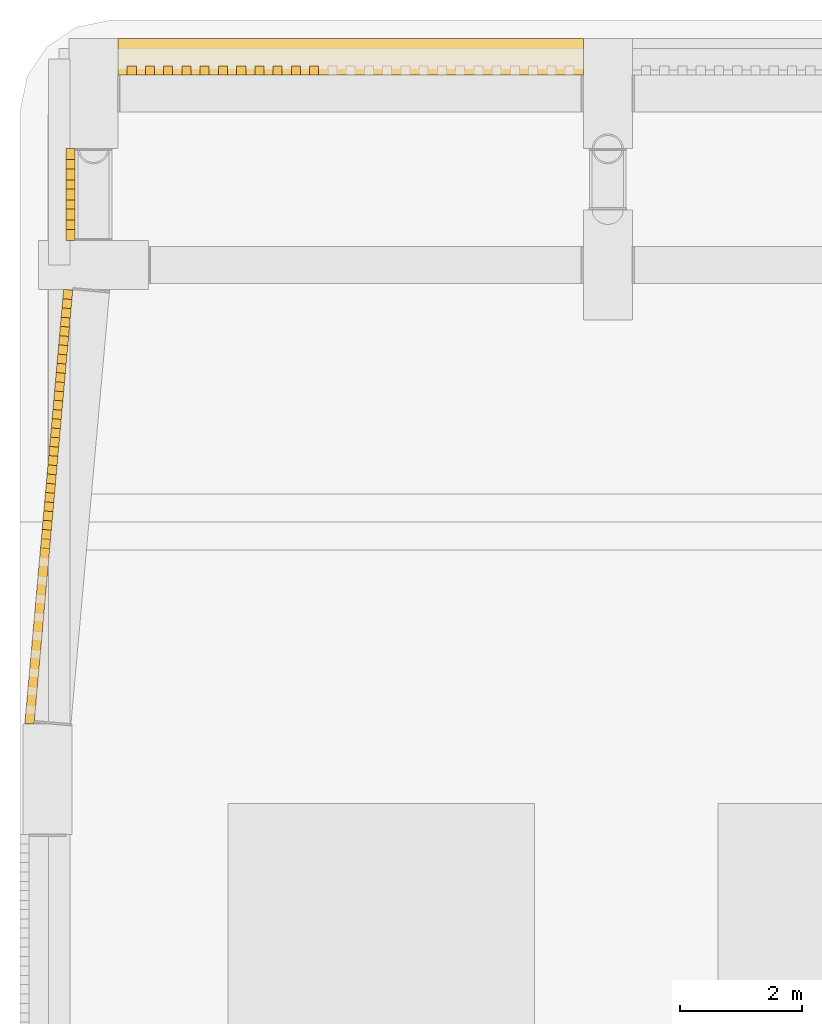
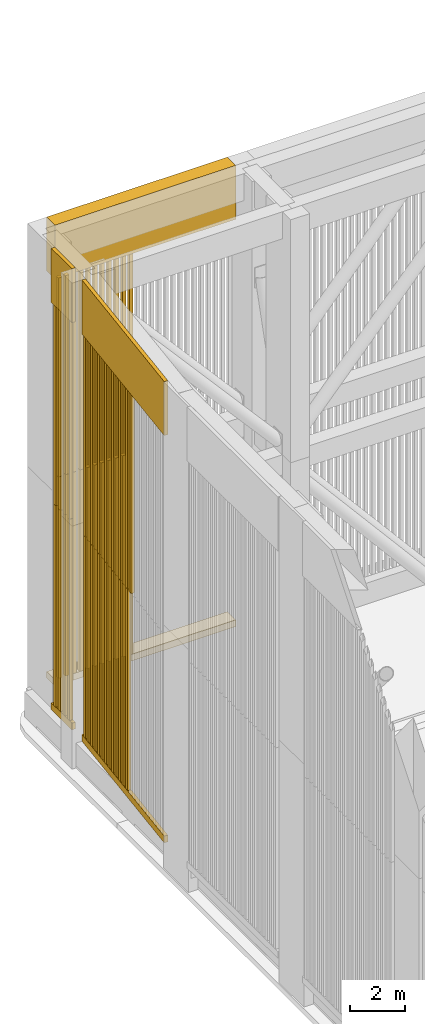
# One storey, part 20 of 27: 57 shading devices, 6 coverings.
"""IFC4 building model written with IfcOpenShell, lengths in metres."""

import ifcopenshell
import ifcopenshell.guid

model = None  # the IFC model being written
_history = None  # IfcOwnerHistory: only IFC2X3 demands one
_inside = {}  # id of a spatial element -> (the spatial element, [elements in it])
_under = {}  # id of a project, library or spatial element -> (it, [spatial elements below it])
_declared = {}  # id of a project -> (the project, [libraries it declares])
_typed = {}  # id of a type object -> (the type object, [elements of that type])
_made_of = {}  # id of a material, layer set ... -> (it, [elements and type objects made of it])


def new_model(schema):
    """Start an empty IFC model of exactly this schema.

    Asked for "IFC4X3", IfcOpenShell would pick the latest addendum, in which some entities
    have other attributes; the version numbers below select the first issue.
    IFC2X3 requires an IfcOwnerHistory on every rooted entity: one is made here for all.
    """
    global model, _history
    if schema == "IFC4X3":
        model = ifcopenshell.file(schema_version=(4, 3, 0, 0))
    else:
        model = ifcopenshell.file(schema=schema)
    _inside.clear()
    _under.clear()
    _declared.clear()
    _typed.clear()
    _made_of.clear()
    _history = None
    if model.schema == "IFC2X3":
        org = make("IfcOrganization", Name="unknown")
        user = make(
            "IfcPersonAndOrganization",
            ThePerson=make("IfcPerson", FamilyName="unknown"),
            TheOrganization=org,
        )
        app = make(
            "IfcApplication",
            ApplicationDeveloper=org,
            Version="unknown",
            ApplicationFullName="unknown",
            ApplicationIdentifier="unknown",
        )
        _history = make(
            "IfcOwnerHistory",
            OwningUser=user,
            OwningApplication=app,
            ChangeAction="ADDED",
            CreationDate=0,
        )
    return model


def make(cls, **values):
    """One entity of the class cls with the attributes given. An attribute that is None is left unset."""
    return model.create_entity(
        cls, **{name: value for name, value in values.items() if value is not None}
    )


def rooted(cls, **values):
    """An entity with a GlobalId (a new one), such as an element, a storey or a relation."""
    return make(cls, GlobalId=ifcopenshell.guid.new(), OwnerHistory=_history, **values)


def si_unit(unit_type, name, prefix=None):
    """IfcSIUnit, for example si_unit("LENGTHUNIT", "METRE", prefix="MILLI")."""
    return make("IfcSIUnit", UnitType=unit_type, Prefix=prefix, Name=name)


def assignment(units):
    """IfcUnitAssignment: the units of a project."""
    return None if units is None else make("IfcUnitAssignment", Units=units)


def point(xyz):
    """IfcCartesianPoint."""
    return None if xyz is None else make("IfcCartesianPoint", Coordinates=xyz)


def direction(xyz):
    """IfcDirection."""
    return None if xyz is None else make("IfcDirection", DirectionRatios=xyz)


def frame(location, z_axis=None, x_axis=None):
    """IfcAxis2Placement3D, a coordinate frame: its origin and axes. An axis left out is left unset."""
    return make(
        "IfcAxis2Placement3D",
        Location=point(location),
        Axis=direction(z_axis),
        RefDirection=direction(x_axis),
    )


def frame_2d(location, x_axis=None):
    """IfcAxis2Placement2D, a coordinate frame in the plane: its origin and x axis."""
    return make(
        "IfcAxis2Placement2D", Location=point(location), RefDirection=direction(x_axis)
    )


def origin():
    """The frame at (0, 0, 0) with its axes left unset."""
    return frame((0.0, 0.0, 0.0))


def origin_2d():
    """The frame at (0, 0) in the plane with its x axis left unset."""
    return frame_2d((0.0, 0.0))


def place(relative_to, where):
    """IfcLocalPlacement: puts the frame where relative to a parent placement (None: the world)."""
    return make(
        "IfcLocalPlacement", PlacementRelTo=relative_to, RelativePlacement=where
    )


def context(
    kind, dimensions, precision=None, world=None, true_north=None, identifier=None
):
    """IfcGeometricRepresentationContext, for example the 3D "Model" context."""
    return make(
        "IfcGeometricRepresentationContext",
        ContextIdentifier=identifier,
        ContextType=kind,
        CoordinateSpaceDimension=dimensions,
        Precision=precision,
        WorldCoordinateSystem=world,
        TrueNorth=true_north,
    )


def subcontext(parent, identifier, kind, view, scale=None):
    """IfcGeometricRepresentationSubContext, for example "Body" below "Model"."""
    return make(
        "IfcGeometricRepresentationSubContext",
        ContextIdentifier=identifier,
        ContextType=kind,
        ParentContext=parent,
        TargetScale=scale,
        TargetView=view,
    )


def project(units=None, contexts=None):
    """IfcProject with its units and contexts."""
    return rooted(
        "IfcProject",
        Name="project",
        RepresentationContexts=contexts,
        UnitsInContext=assignment(units),
    )


def spatial(cls, under=None, at=None, **own):
    """A site, building, storey or space (cls), placed at a placement, below another one or the project."""
    s = rooted(cls, ObjectPlacement=at, **own)
    if under is not None:
        _under.setdefault(under.id(), (under, []))[1].append(s)
    return s


def profile(cls, at=None, kind="AREA", **sizes):
    """A parametric profile (cls). Its sizes go by their IFC names, for example OverallWidth=200.0."""
    return make(cls, ProfileType=kind, Position=at, **sizes)


def rectangle(**sizes):
    """IfcRectangleProfileDef."""
    return profile("IfcRectangleProfileDef", **sizes)


def extrude(swept, where, along, depth):
    """IfcExtrudedAreaSolid: the profile swept, set in the frame where, extruded along a direction by depth."""
    return make(
        "IfcExtrudedAreaSolid",
        SweptArea=swept,
        Position=where,
        ExtrudedDirection=direction(along),
        Depth=depth,
    )


def shape(context_of_items, identifier, shape_type, items):
    """IfcShapeRepresentation: the items that make up one representation, for example the "Body"."""
    return make(
        "IfcShapeRepresentation",
        ContextOfItems=context_of_items,
        RepresentationIdentifier=identifier,
        RepresentationType=shape_type,
        Items=items,
    )


def material(Name=None, Category=None):
    """IfcMaterial."""
    return make("IfcMaterial", Name=Name, Category=Category)


def layer(
    of_material, thickness, ventilated=None, Name=None, Category=None, Priority=None
):
    """IfcMaterialLayer: one layer of a wall or slab, of a material (None: an air gap)."""
    return make(
        "IfcMaterialLayer",
        Material=of_material,
        LayerThickness=thickness,
        IsVentilated=ventilated,
        Name=Name,
        Category=Category,
        Priority=Priority,
    )


def layer_set(layers, Name=None):
    """IfcMaterialLayerSet."""
    return make("IfcMaterialLayerSet", MaterialLayers=layers, LayerSetName=Name)


def made_of(thing, what):
    """Note that an element or type object is made of a material, layer set ...; save() writes the relation."""
    if what is not None:
        _made_of.setdefault(what.id(), (what, []))[1].append(thing)
    return thing


def type_object(cls, material=None, **own):
    """A type object (cls), such as IfcWallType, which elements share."""
    return made_of(rooted(cls, **own), material)


def element(
    cls,
    number,
    at=None,
    inside=None,
    cuts=None,
    type_object=None,
    material=None,
    context=None,
    identifier="Body",
    shape_type=None,
    held_by="IfcProductDefinitionShape",
    body=None,
    shapes=None,
    **own,
):
    """One element of the class cls, such as IfcWall. Its Tag is "e" and its number.

    at: its placement. inside: the storey or other place that contains it. cuts: it is an
    opening in that element (IfcRelVoidsElement). A single representation is given by context,
    identifier, shape_type and body (its items); several are given by shapes. held_by: the class
    of the entity that holds the representations. save() writes the other relations.
    """
    e = rooted(cls, Tag="e%d" % number, ObjectPlacement=at, **own)
    if body is not None:
        shapes = [shape(context, identifier, shape_type, body)]
    if shapes is not None:
        e.Representation = make(held_by, Representations=shapes)
    if inside is not None:
        _inside.setdefault(inside.id(), (inside, []))[1].append(e)
    if cuts is not None:
        rooted(
            "IfcRelVoidsElement", RelatingBuildingElement=cuts, RelatedOpeningElement=e
        )
    if type_object is not None:
        _typed.setdefault(type_object.id(), (type_object, []))[1].append(e)
    return made_of(e, material)


def aggregate(whole, parts):
    """IfcRelAggregates: a whole, such as a stair, and the parts it consists of."""
    return rooted("IfcRelAggregates", RelatingObject=whole, RelatedObjects=parts)


def save(model, path):
    """Write the relations noted so far, then the file.

    IfcRelAggregates (storeys below a building ...), IfcRelContainedInSpatialStructure (elements
    in a storey), IfcRelDefinesByType, IfcRelAssociatesMaterial and IfcRelDeclares: one each for
    every whole, place, type object, material and project.
    """
    for whole, parts in _under.values():
        aggregate(whole, parts)
    for where, things in _inside.values():
        rooted(
            "IfcRelContainedInSpatialStructure",
            RelatedElements=things,
            RelatingStructure=where,
        )
    for kind, things in _typed.values():
        rooted("IfcRelDefinesByType", RelatedObjects=things, RelatingType=kind)
    for what, things in _made_of.values():
        rooted("IfcRelAssociatesMaterial", RelatedObjects=things, RelatingMaterial=what)
    for by, libraries in _declared.values():
        rooted("IfcRelDeclares", RelatingContext=by, RelatedDefinitions=libraries)
    model.write(path)


model = new_model("IFC4")

# Units and contexts
model_context = context("Model", 3, precision=1e-05, world=origin(), true_north=direction((0.0, 1.0)))
body_context = subcontext(model_context, "Body", "Model", "MODEL_VIEW")
ifc_project = project(units=[si_unit("LENGTHUNIT", "METRE"), si_unit("AREAUNIT", "SQUARE_METRE"), si_unit("VOLUMEUNIT", "CUBIC_METRE"), si_unit("PLANEANGLEUNIT", "RADIAN"), si_unit("MASSUNIT", "GRAM", prefix="KILO")], contexts=[model_context])

# Site, building, storey
site_placement = place(None, origin())
site = spatial("IfcSite", under=ifc_project, at=site_placement, CompositionType="ELEMENT")
building_placement = place(site_placement, origin())
building = spatial("IfcBuilding", under=site, at=building_placement, Name="Claustro Exchange Tower", CompositionType="ELEMENT")
storey_placement = place(building_placement, frame((0.0, 0.0, 287.10009765625)))
storey = spatial("IfcBuildingStorey", under=building, at=storey_placement, Name="ROOF", CompositionType="ELEMENT", Elevation=287.10009765625)

# Coverings
ifc_material_1 = material(Name="Concrete HA-40 (C40/50), precast, white cement, acid-etched", Category="concrete")
ifc_layer_1 = layer(ifc_material_1, 0.14990234375)
ifc_layer_set_1 = layer_set([ifc_layer_1], Name="Concrete HA-40 (C40/50), precast, white cement, acid-etched")
covering_type_1 = type_object("IfcCoveringType", Name="CC1 150 precast concrete crown moulding", PredefinedType="MOLDING", material=ifc_layer_set_1)
covering_1_placement = place(storey_placement, frame((-0.729736328125, 38.050048828125, 1.10009765625), z_axis=(0.0, 0.0, 1.0), x_axis=(0.088932542032, 0.996037651381, 0.0)))
element("IfcCovering", 1, at=covering_1_placement, inside=storey, type_object=covering_type_1, Name="CROWN SILL CC1 1+-750/E - 1/F", PredefinedType="MOLDING", context=body_context, shape_type="SweptSolid", body=[
    extrude(rectangle(XDim=7.114013671875, YDim=0.14990234375, at=origin_2d()), origin(), (0.0, 0.0, 1.0), 0.300048828125),
])
covering_2_placement = place(storey_placement, frame((-0.729736328125, 38.050048828125, 19.199951171875), z_axis=(0.0, 0.0, 1.0), x_axis=(0.088932542032, 0.996037651381, 0.0)))
element("IfcCovering", 2, at=covering_2_placement, inside=storey, type_object=covering_type_1, Name="CROWN CORNICE CC1 1+-750/E - 1/F", PredefinedType="MOLDING", context=body_context, shape_type="SweptSolid", body=[
    extrude(rectangle(XDim=7.114013671875, YDim=0.14990234375, at=origin_2d()), origin(), (0.0, 0.0, 1.0), 2.39990234375),
])
covering_3_placement = place(storey_placement, frame((-0.37548828125, 43.14990234375, 1.10009765625), z_axis=(0.0, 0.0, 1.0), x_axis=(0.0, 1.0, 0.0)))
element("IfcCovering", 3, at=covering_3_placement, inside=storey, type_object=covering_type_1, Name="CROWN SILL CC1 1/F - 1/F+2800", PredefinedType="MOLDING", context=body_context, shape_type="SweptSolid", body=[
    extrude(rectangle(XDim=1.4990234375, YDim=0.14990234375, at=origin_2d()), origin(), (0.0, 0.0, 1.0), 0.300048828125),
])
covering_4_placement = place(storey_placement, frame((-0.37548828125, 43.14990234375, 19.199951171875), z_axis=(0.0, 0.0, 1.0), x_axis=(0.0, 1.0, 0.0)))
element("IfcCovering", 4, at=covering_4_placement, inside=storey, type_object=covering_type_1, Name="CROWN CORNICE CC1 1/F - 1/F+2800", PredefinedType="MOLDING", context=body_context, shape_type="SweptSolid", body=[
    extrude(rectangle(XDim=1.4990234375, YDim=0.14990234375, at=origin_2d()), origin(), (0.0, 0.0, 1.0), 2.39990234375),
])
ifc_material_2 = material(Name="Concrete HA-40 (C40/50), precast, white cement, acid-etched", Category="concrete")
ifc_layer_2 = layer(ifc_material_2, 0.60009765625)
ifc_layer_set_2 = layer_set([ifc_layer_2], Name="Concrete HA-40 (C40/50), precast, white cement, acid-etched")
covering_type_2 = type_object("IfcCoveringType", Name="CC2 600 precast concrete crown moulding", PredefinedType="MOLDING", material=ifc_layer_set_2)
covering_5_placement = place(storey_placement, frame((4.199951171875, 45.400390625, 1.10009765625), z_axis=(0.0, 0.0, 1.0), x_axis=(1.0, 0.0, 0.0)))
element("IfcCovering", 5, at=covering_5_placement, inside=storey, type_object=covering_type_2, Name="CROWN SILL CC2 1/F+2800 - 2/F+2800", PredefinedType="MOLDING", context=body_context, shape_type="SweptSolid", body=[
    extrude(rectangle(XDim=7.59912109375, YDim=0.60009765625, at=origin_2d()), origin(), (0.0, 0.0, 1.0), 0.300048828125),
])
covering_6_placement = place(storey_placement, frame((4.199951171875, 45.400390625, 19.199951171875), z_axis=(0.0, 0.0, 1.0), x_axis=(1.0, 0.0, 0.0)))
element("IfcCovering", 6, at=covering_6_placement, inside=storey, type_object=covering_type_2, Name="CROWN CORNICE CC2 1/F+2800 - 2/F+2800", PredefinedType="MOLDING", context=body_context, shape_type="SweptSolid", body=[
    extrude(rectangle(XDim=7.59912109375, YDim=0.60009765625, at=origin_2d()), origin(), (0.0, 0.0, 1.0), 2.39990234375),
])

# Shading devices
ifc_material_3 = material(Name="Concrete HA-40 (C40/50), precast, white cement, acid-etched", Category="concrete")
shading_device_type = type_object("IfcShadingDeviceType", Name="LV1 150 x 150 precast concrete crown louvre", PredefinedType="USERDEFINED", material=ifc_material_3)
shading_device_1_placement = place(storey_placement, frame((0.62353515625, 45.175537109375, 1.39990234375), z_axis=(0.0, 0.0, 1.0), x_axis=(1.0, 0.0, 0.0)))
element("IfcShadingDevice", 7, at=shading_device_1_placement, inside=storey, type_object=shading_device_type, Name="CROWN LOUVRE LV1 1/F+2800 - 2/F+2800 01 lower", ObjectType="CROWN LOUVRE", PredefinedType="USERDEFINED", context=body_context, shape_type="SweptSolid", body=[
    extrude(rectangle(XDim=0.14990234375, YDim=0.14990234375, at=origin_2d()), origin(), (0.0, 0.0, 1.0), 8.949951171875),
])
shading_device_2_placement = place(storey_placement, frame((0.62353515625, 45.175537109375, 10.349853515625), z_axis=(0.0, 0.0, 1.0), x_axis=(1.0, 0.0, 0.0)))
element("IfcShadingDevice", 8, at=shading_device_2_placement, inside=storey, type_object=shading_device_type, Name="CROWN LOUVRE LV1 1/F+2800 - 2/F+2800 01 upper", ObjectType="CROWN LOUVRE", PredefinedType="USERDEFINED", context=body_context, shape_type="SweptSolid", body=[
    extrude(rectangle(XDim=0.14990234375, YDim=0.14990234375, at=origin_2d()), origin(), (0.0, 0.0, 1.0), 8.85009765625),
])
shading_device_3_placement = place(storey_placement, frame((0.921630859375, 45.175537109375, 1.39990234375), z_axis=(0.0, 0.0, 1.0), x_axis=(1.0, 0.0, 0.0)))
element("IfcShadingDevice", 9, at=shading_device_3_placement, inside=storey, type_object=shading_device_type, Name="CROWN LOUVRE LV1 1/F+2800 - 2/F+2800 02 lower", ObjectType="CROWN LOUVRE", PredefinedType="USERDEFINED", context=body_context, shape_type="SweptSolid", body=[
    extrude(rectangle(XDim=0.14990234375, YDim=0.14990234375, at=origin_2d()), origin(), (0.0, 0.0, 1.0), 8.949951171875),
])
shading_device_4_placement = place(storey_placement, frame((0.921630859375, 45.175537109375, 10.349853515625), z_axis=(0.0, 0.0, 1.0), x_axis=(1.0, 0.0, 0.0)))
element("IfcShadingDevice", 10, at=shading_device_4_placement, inside=storey, type_object=shading_device_type, Name="CROWN LOUVRE LV1 1/F+2800 - 2/F+2800 02 upper", ObjectType="CROWN LOUVRE", PredefinedType="USERDEFINED", context=body_context, shape_type="SweptSolid", body=[
    extrude(rectangle(XDim=0.14990234375, YDim=0.14990234375, at=origin_2d()), origin(), (0.0, 0.0, 1.0), 8.85009765625),
])
shading_device_5_placement = place(storey_placement, frame((1.219482421875, 45.175537109375, 1.39990234375), z_axis=(0.0, 0.0, 1.0), x_axis=(1.0, 0.0, 0.0)))
element("IfcShadingDevice", 11, at=shading_device_5_placement, inside=storey, type_object=shading_device_type, Name="CROWN LOUVRE LV1 1/F+2800 - 2/F+2800 03 lower", ObjectType="CROWN LOUVRE", PredefinedType="USERDEFINED", context=body_context, shape_type="SweptSolid", body=[
    extrude(rectangle(XDim=0.14990234375, YDim=0.14990234375, at=origin_2d()), origin(), (0.0, 0.0, 1.0), 8.949951171875),
])
shading_device_6_placement = place(storey_placement, frame((1.219482421875, 45.175537109375, 10.349853515625), z_axis=(0.0, 0.0, 1.0), x_axis=(1.0, 0.0, 0.0)))
element("IfcShadingDevice", 12, at=shading_device_6_placement, inside=storey, type_object=shading_device_type, Name="CROWN LOUVRE LV1 1/F+2800 - 2/F+2800 03 upper", ObjectType="CROWN LOUVRE", PredefinedType="USERDEFINED", context=body_context, shape_type="SweptSolid", body=[
    extrude(rectangle(XDim=0.14990234375, YDim=0.14990234375, at=origin_2d()), origin(), (0.0, 0.0, 1.0), 8.85009765625),
])
shading_device_7_placement = place(storey_placement, frame((1.517578125, 45.175537109375, 1.39990234375), z_axis=(0.0, 0.0, 1.0), x_axis=(1.0, 0.0, 0.0)))
element("IfcShadingDevice", 13, at=shading_device_7_placement, inside=storey, type_object=shading_device_type, Name="CROWN LOUVRE LV1 1/F+2800 - 2/F+2800 04 lower", ObjectType="CROWN LOUVRE", PredefinedType="USERDEFINED", context=body_context, shape_type="SweptSolid", body=[
    extrude(rectangle(XDim=0.14990234375, YDim=0.14990234375, at=origin_2d()), origin(), (0.0, 0.0, 1.0), 8.949951171875),
])
shading_device_8_placement = place(storey_placement, frame((1.517578125, 45.175537109375, 10.349853515625), z_axis=(0.0, 0.0, 1.0), x_axis=(1.0, 0.0, 0.0)))
element("IfcShadingDevice", 14, at=shading_device_8_placement, inside=storey, type_object=shading_device_type, Name="CROWN LOUVRE LV1 1/F+2800 - 2/F+2800 04 upper", ObjectType="CROWN LOUVRE", PredefinedType="USERDEFINED", context=body_context, shape_type="SweptSolid", body=[
    extrude(rectangle(XDim=0.14990234375, YDim=0.14990234375, at=origin_2d()), origin(), (0.0, 0.0, 1.0), 8.85009765625),
])
shading_device_9_placement = place(storey_placement, frame((1.815673828125, 45.175537109375, 1.39990234375), z_axis=(0.0, 0.0, 1.0), x_axis=(1.0, 0.0, 0.0)))
element("IfcShadingDevice", 15, at=shading_device_9_placement, inside=storey, type_object=shading_device_type, Name="CROWN LOUVRE LV1 1/F+2800 - 2/F+2800 05 lower", ObjectType="CROWN LOUVRE", PredefinedType="USERDEFINED", context=body_context, shape_type="SweptSolid", body=[
    extrude(rectangle(XDim=0.14990234375, YDim=0.14990234375, at=origin_2d()), origin(), (0.0, 0.0, 1.0), 8.949951171875),
])
shading_device_10_placement = place(storey_placement, frame((1.815673828125, 45.175537109375, 10.349853515625), z_axis=(0.0, 0.0, 1.0), x_axis=(1.0, 0.0, 0.0)))
element("IfcShadingDevice", 16, at=shading_device_10_placement, inside=storey, type_object=shading_device_type, Name="CROWN LOUVRE LV1 1/F+2800 - 2/F+2800 05 upper", ObjectType="CROWN LOUVRE", PredefinedType="USERDEFINED", context=body_context, shape_type="SweptSolid", body=[
    extrude(rectangle(XDim=0.14990234375, YDim=0.14990234375, at=origin_2d()), origin(), (0.0, 0.0, 1.0), 8.85009765625),
])
shading_device_11_placement = place(storey_placement, frame((2.11376953125, 45.175537109375, 1.39990234375), z_axis=(0.0, 0.0, 1.0), x_axis=(1.0, 0.0, 0.0)))
element("IfcShadingDevice", 17, at=shading_device_11_placement, inside=storey, type_object=shading_device_type, Name="CROWN LOUVRE LV1 1/F+2800 - 2/F+2800 06 lower", ObjectType="CROWN LOUVRE", PredefinedType="USERDEFINED", context=body_context, shape_type="SweptSolid", body=[
    extrude(rectangle(XDim=0.14990234375, YDim=0.14990234375, at=origin_2d()), origin(), (0.0, 0.0, 1.0), 8.949951171875),
])
shading_device_12_placement = place(storey_placement, frame((2.11376953125, 45.175537109375, 10.349853515625), z_axis=(0.0, 0.0, 1.0), x_axis=(1.0, 0.0, 0.0)))
element("IfcShadingDevice", 18, at=shading_device_12_placement, inside=storey, type_object=shading_device_type, Name="CROWN LOUVRE LV1 1/F+2800 - 2/F+2800 06 upper", ObjectType="CROWN LOUVRE", PredefinedType="USERDEFINED", context=body_context, shape_type="SweptSolid", body=[
    extrude(rectangle(XDim=0.14990234375, YDim=0.14990234375, at=origin_2d()), origin(), (0.0, 0.0, 1.0), 8.85009765625),
])
shading_device_13_placement = place(storey_placement, frame((2.411865234375, 45.175537109375, 1.39990234375), z_axis=(0.0, 0.0, 1.0), x_axis=(1.0, 0.0, 0.0)))
element("IfcShadingDevice", 19, at=shading_device_13_placement, inside=storey, type_object=shading_device_type, Name="CROWN LOUVRE LV1 1/F+2800 - 2/F+2800 07 lower", ObjectType="CROWN LOUVRE", PredefinedType="USERDEFINED", context=body_context, shape_type="SweptSolid", body=[
    extrude(rectangle(XDim=0.14990234375, YDim=0.14990234375, at=origin_2d()), origin(), (0.0, 0.0, 1.0), 8.949951171875),
])
shading_device_14_placement = place(storey_placement, frame((2.411865234375, 45.175537109375, 10.349853515625), z_axis=(0.0, 0.0, 1.0), x_axis=(1.0, 0.0, 0.0)))
element("IfcShadingDevice", 20, at=shading_device_14_placement, inside=storey, type_object=shading_device_type, Name="CROWN LOUVRE LV1 1/F+2800 - 2/F+2800 07 upper", ObjectType="CROWN LOUVRE", PredefinedType="USERDEFINED", context=body_context, shape_type="SweptSolid", body=[
    extrude(rectangle(XDim=0.14990234375, YDim=0.14990234375, at=origin_2d()), origin(), (0.0, 0.0, 1.0), 8.85009765625),
])
shading_device_15_placement = place(storey_placement, frame((2.709716796875, 45.175537109375, 1.39990234375), z_axis=(0.0, 0.0, 1.0), x_axis=(1.0, 0.0, 0.0)))
element("IfcShadingDevice", 21, at=shading_device_15_placement, inside=storey, type_object=shading_device_type, Name="CROWN LOUVRE LV1 1/F+2800 - 2/F+2800 08 lower", ObjectType="CROWN LOUVRE", PredefinedType="USERDEFINED", context=body_context, shape_type="SweptSolid", body=[
    extrude(rectangle(XDim=0.14990234375, YDim=0.14990234375, at=origin_2d()), origin(), (0.0, 0.0, 1.0), 8.949951171875),
])
shading_device_16_placement = place(storey_placement, frame((2.709716796875, 45.175537109375, 10.349853515625), z_axis=(0.0, 0.0, 1.0), x_axis=(1.0, 0.0, 0.0)))
element("IfcShadingDevice", 22, at=shading_device_16_placement, inside=storey, type_object=shading_device_type, Name="CROWN LOUVRE LV1 1/F+2800 - 2/F+2800 08 upper", ObjectType="CROWN LOUVRE", PredefinedType="USERDEFINED", context=body_context, shape_type="SweptSolid", body=[
    extrude(rectangle(XDim=0.14990234375, YDim=0.14990234375, at=origin_2d()), origin(), (0.0, 0.0, 1.0), 8.85009765625),
])
shading_device_17_placement = place(storey_placement, frame((3.0078125, 45.175537109375, 1.39990234375), z_axis=(0.0, 0.0, 1.0), x_axis=(1.0, 0.0, 0.0)))
element("IfcShadingDevice", 23, at=shading_device_17_placement, inside=storey, type_object=shading_device_type, Name="CROWN LOUVRE LV1 1/F+2800 - 2/F+2800 09 lower", ObjectType="CROWN LOUVRE", PredefinedType="USERDEFINED", context=body_context, shape_type="SweptSolid", body=[
    extrude(rectangle(XDim=0.14990234375, YDim=0.14990234375, at=origin_2d()), origin(), (0.0, 0.0, 1.0), 8.949951171875),
])
shading_device_18_placement = place(storey_placement, frame((3.0078125, 45.175537109375, 10.349853515625), z_axis=(0.0, 0.0, 1.0), x_axis=(1.0, 0.0, 0.0)))
element("IfcShadingDevice", 24, at=shading_device_18_placement, inside=storey, type_object=shading_device_type, Name="CROWN LOUVRE LV1 1/F+2800 - 2/F+2800 09 upper", ObjectType="CROWN LOUVRE", PredefinedType="USERDEFINED", context=body_context, shape_type="SweptSolid", body=[
    extrude(rectangle(XDim=0.14990234375, YDim=0.14990234375, at=origin_2d()), origin(), (0.0, 0.0, 1.0), 8.85009765625),
])
shading_device_19_placement = place(storey_placement, frame((3.305908203125, 45.175537109375, 1.39990234375), z_axis=(0.0, 0.0, 1.0), x_axis=(1.0, 0.0, 0.0)))
element("IfcShadingDevice", 25, at=shading_device_19_placement, inside=storey, type_object=shading_device_type, Name="CROWN LOUVRE LV1 1/F+2800 - 2/F+2800 10 lower", ObjectType="CROWN LOUVRE", PredefinedType="USERDEFINED", context=body_context, shape_type="SweptSolid", body=[
    extrude(rectangle(XDim=0.14990234375, YDim=0.14990234375, at=origin_2d()), origin(), (0.0, 0.0, 1.0), 8.949951171875),
])
shading_device_20_placement = place(storey_placement, frame((3.305908203125, 45.175537109375, 10.349853515625), z_axis=(0.0, 0.0, 1.0), x_axis=(1.0, 0.0, 0.0)))
element("IfcShadingDevice", 26, at=shading_device_20_placement, inside=storey, type_object=shading_device_type, Name="CROWN LOUVRE LV1 1/F+2800 - 2/F+2800 10 upper", ObjectType="CROWN LOUVRE", PredefinedType="USERDEFINED", context=body_context, shape_type="SweptSolid", body=[
    extrude(rectangle(XDim=0.14990234375, YDim=0.14990234375, at=origin_2d()), origin(), (0.0, 0.0, 1.0), 8.85009765625),
])
shading_device_21_placement = place(storey_placement, frame((3.60400390625, 45.175537109375, 1.39990234375), z_axis=(0.0, 0.0, 1.0), x_axis=(1.0, 0.0, 0.0)))
element("IfcShadingDevice", 27, at=shading_device_21_placement, inside=storey, type_object=shading_device_type, Name="CROWN LOUVRE LV1 1/F+2800 - 2/F+2800 11 lower", ObjectType="CROWN LOUVRE", PredefinedType="USERDEFINED", context=body_context, shape_type="SweptSolid", body=[
    extrude(rectangle(XDim=0.14990234375, YDim=0.14990234375, at=origin_2d()), origin(), (0.0, 0.0, 1.0), 8.949951171875),
])
for number, where, z_axis, x_axis, name in (
    (28, (3.60400390625, 45.175537109375, 10.349853515625), (0.0, 0.0, 1.0), (1.0, 0.0, 0.0), "CROWN LOUVRE LV1 1/F+2800 - 2/F+2800 11 upper"),
    (29, (-0.783447265625, 37.447021484375, 10.349853515625), (0.0, 0.0, 1.0), (0.088932542032, 0.996037651381, 0.0), "CROWN LOUVRE LV1 1+-750/E - 1/F 10 upper"),
):
    element("IfcShadingDevice", number, at=place(storey_placement, frame(where, z_axis=z_axis, x_axis=x_axis)), inside=storey, type_object=shading_device_type, Name=name, ObjectType="CROWN LOUVRE", PredefinedType="USERDEFINED", context=body_context, shape_type="SweptSolid", body=[
        extrude(rectangle(XDim=0.14990234375, YDim=0.14990234375, at=origin_2d()), origin(), (0.0, 0.0, 1.0), 8.85009765625),
    ])
shading_device_22_placement = place(storey_placement, frame((-0.756591796875, 37.74853515625, 1.39990234375), z_axis=(0.0, 0.0, 1.0), x_axis=(0.088932542032, 0.996037651381, 0.0)))
element("IfcShadingDevice", 30, at=shading_device_22_placement, inside=storey, type_object=shading_device_type, Name="CROWN LOUVRE LV1 1+-750/E - 1/F 11 lower", ObjectType="CROWN LOUVRE", PredefinedType="USERDEFINED", context=body_context, shape_type="SweptSolid", body=[
    extrude(rectangle(XDim=0.14990234375, YDim=0.14990234375, at=origin_2d()), origin(), (0.0, 0.0, 1.0), 8.949951171875),
])
shading_device_23_placement = place(storey_placement, frame((-0.756591796875, 37.74853515625, 10.349853515625), z_axis=(0.0, 0.0, 1.0), x_axis=(0.088932542032, 0.996037651381, 0.0)))
element("IfcShadingDevice", 31, at=shading_device_23_placement, inside=storey, type_object=shading_device_type, Name="CROWN LOUVRE LV1 1+-750/E - 1/F 11 upper", ObjectType="CROWN LOUVRE", PredefinedType="USERDEFINED", context=body_context, shape_type="SweptSolid", body=[
    extrude(rectangle(XDim=0.14990234375, YDim=0.14990234375, at=origin_2d()), origin(), (0.0, 0.0, 1.0), 8.85009765625),
])
shading_device_24_placement = place(storey_placement, frame((-0.729736328125, 38.050048828125, 1.39990234375), z_axis=(0.0, 0.0, 1.0), x_axis=(0.088932542032, 0.996037651381, 0.0)))
element("IfcShadingDevice", 32, at=shading_device_24_placement, inside=storey, type_object=shading_device_type, Name="CROWN LOUVRE LV1 1+-750/E - 1/F 12 lower", ObjectType="CROWN LOUVRE", PredefinedType="USERDEFINED", context=body_context, shape_type="SweptSolid", body=[
    extrude(rectangle(XDim=0.14990234375, YDim=0.14990234375, at=origin_2d()), origin(), (0.0, 0.0, 1.0), 8.949951171875),
])
shading_device_25_placement = place(storey_placement, frame((-0.729736328125, 38.050048828125, 10.349853515625), z_axis=(0.0, 0.0, 1.0), x_axis=(0.088932542032, 0.996037651381, 0.0)))
element("IfcShadingDevice", 33, at=shading_device_25_placement, inside=storey, type_object=shading_device_type, Name="CROWN LOUVRE LV1 1+-750/E - 1/F 12 upper", ObjectType="CROWN LOUVRE", PredefinedType="USERDEFINED", context=body_context, shape_type="SweptSolid", body=[
    extrude(rectangle(XDim=0.14990234375, YDim=0.14990234375, at=origin_2d()), origin(), (0.0, 0.0, 1.0), 8.85009765625),
])
shading_device_26_placement = place(storey_placement, frame((-0.702880859375, 38.3515625, 1.39990234375), z_axis=(0.0, 0.0, 1.0), x_axis=(0.088932542032, 0.996037651381, 0.0)))
element("IfcShadingDevice", 34, at=shading_device_26_placement, inside=storey, type_object=shading_device_type, Name="CROWN LOUVRE LV1 1+-750/E - 1/F 13 lower", ObjectType="CROWN LOUVRE", PredefinedType="USERDEFINED", context=body_context, shape_type="SweptSolid", body=[
    extrude(rectangle(XDim=0.14990234375, YDim=0.14990234375, at=origin_2d()), origin(), (0.0, 0.0, 1.0), 8.949951171875),
])
shading_device_27_placement = place(storey_placement, frame((-0.702880859375, 38.3515625, 10.349853515625), z_axis=(0.0, 0.0, 1.0), x_axis=(0.088932542032, 0.996037651381, 0.0)))
element("IfcShadingDevice", 35, at=shading_device_27_placement, inside=storey, type_object=shading_device_type, Name="CROWN LOUVRE LV1 1+-750/E - 1/F 13 upper", ObjectType="CROWN LOUVRE", PredefinedType="USERDEFINED", context=body_context, shape_type="SweptSolid", body=[
    extrude(rectangle(XDim=0.14990234375, YDim=0.14990234375, at=origin_2d()), origin(), (0.0, 0.0, 1.0), 8.85009765625),
])
shading_device_28_placement = place(storey_placement, frame((-0.67578125, 38.65283203125, 1.39990234375), z_axis=(0.0, 0.0, 1.0), x_axis=(0.088932542032, 0.996037651381, 0.0)))
element("IfcShadingDevice", 36, at=shading_device_28_placement, inside=storey, type_object=shading_device_type, Name="CROWN LOUVRE LV1 1+-750/E - 1/F 14 lower", ObjectType="CROWN LOUVRE", PredefinedType="USERDEFINED", context=body_context, shape_type="SweptSolid", body=[
    extrude(rectangle(XDim=0.14990234375, YDim=0.14990234375, at=origin_2d()), origin(), (0.0, 0.0, 1.0), 8.949951171875),
])
shading_device_29_placement = place(storey_placement, frame((-0.67578125, 38.65283203125, 10.349853515625), z_axis=(0.0, 0.0, 1.0), x_axis=(0.088932542032, 0.996037651381, 0.0)))
element("IfcShadingDevice", 37, at=shading_device_29_placement, inside=storey, type_object=shading_device_type, Name="CROWN LOUVRE LV1 1+-750/E - 1/F 14 upper", ObjectType="CROWN LOUVRE", PredefinedType="USERDEFINED", context=body_context, shape_type="SweptSolid", body=[
    extrude(rectangle(XDim=0.14990234375, YDim=0.14990234375, at=origin_2d()), origin(), (0.0, 0.0, 1.0), 8.85009765625),
])
shading_device_30_placement = place(storey_placement, frame((-0.64892578125, 38.954345703125, 1.39990234375), z_axis=(0.0, 0.0, 1.0), x_axis=(0.088932542032, 0.996037651381, 0.0)))
element("IfcShadingDevice", 38, at=shading_device_30_placement, inside=storey, type_object=shading_device_type, Name="CROWN LOUVRE LV1 1+-750/E - 1/F 15 lower", ObjectType="CROWN LOUVRE", PredefinedType="USERDEFINED", context=body_context, shape_type="SweptSolid", body=[
    extrude(rectangle(XDim=0.14990234375, YDim=0.14990234375, at=origin_2d()), origin(), (0.0, 0.0, 1.0), 8.949951171875),
])
shading_device_31_placement = place(storey_placement, frame((-0.64892578125, 38.954345703125, 10.349853515625), z_axis=(0.0, 0.0, 1.0), x_axis=(0.088932542032, 0.996037651381, 0.0)))
element("IfcShadingDevice", 39, at=shading_device_31_placement, inside=storey, type_object=shading_device_type, Name="CROWN LOUVRE LV1 1+-750/E - 1/F 15 upper", ObjectType="CROWN LOUVRE", PredefinedType="USERDEFINED", context=body_context, shape_type="SweptSolid", body=[
    extrude(rectangle(XDim=0.14990234375, YDim=0.14990234375, at=origin_2d()), origin(), (0.0, 0.0, 1.0), 8.85009765625),
])
shading_device_32_placement = place(storey_placement, frame((-0.6220703125, 39.255859375, 1.39990234375), z_axis=(0.0, 0.0, 1.0), x_axis=(0.088932542032, 0.996037651381, 0.0)))
element("IfcShadingDevice", 40, at=shading_device_32_placement, inside=storey, type_object=shading_device_type, Name="CROWN LOUVRE LV1 1+-750/E - 1/F 16 lower", ObjectType="CROWN LOUVRE", PredefinedType="USERDEFINED", context=body_context, shape_type="SweptSolid", body=[
    extrude(rectangle(XDim=0.14990234375, YDim=0.14990234375, at=origin_2d()), origin(), (0.0, 0.0, 1.0), 8.949951171875),
])
shading_device_33_placement = place(storey_placement, frame((-0.6220703125, 39.255859375, 10.349853515625), z_axis=(0.0, 0.0, 1.0), x_axis=(0.088932542032, 0.996037651381, 0.0)))
element("IfcShadingDevice", 41, at=shading_device_33_placement, inside=storey, type_object=shading_device_type, Name="CROWN LOUVRE LV1 1+-750/E - 1/F 16 upper", ObjectType="CROWN LOUVRE", PredefinedType="USERDEFINED", context=body_context, shape_type="SweptSolid", body=[
    extrude(rectangle(XDim=0.14990234375, YDim=0.14990234375, at=origin_2d()), origin(), (0.0, 0.0, 1.0), 8.85009765625),
])
shading_device_34_placement = place(storey_placement, frame((-0.59521484375, 39.557373046875, 1.39990234375), z_axis=(0.0, 0.0, 1.0), x_axis=(0.088932542032, 0.996037651381, 0.0)))
element("IfcShadingDevice", 42, at=shading_device_34_placement, inside=storey, type_object=shading_device_type, Name="CROWN LOUVRE LV1 1+-750/E - 1/F 17 lower", ObjectType="CROWN LOUVRE", PredefinedType="USERDEFINED", context=body_context, shape_type="SweptSolid", body=[
    extrude(rectangle(XDim=0.14990234375, YDim=0.14990234375, at=origin_2d()), origin(), (0.0, 0.0, 1.0), 8.949951171875),
])
shading_device_35_placement = place(storey_placement, frame((-0.59521484375, 39.557373046875, 10.349853515625), z_axis=(0.0, 0.0, 1.0), x_axis=(0.088932542032, 0.996037651381, 0.0)))
element("IfcShadingDevice", 43, at=shading_device_35_placement, inside=storey, type_object=shading_device_type, Name="CROWN LOUVRE LV1 1+-750/E - 1/F 17 upper", ObjectType="CROWN LOUVRE", PredefinedType="USERDEFINED", context=body_context, shape_type="SweptSolid", body=[
    extrude(rectangle(XDim=0.14990234375, YDim=0.14990234375, at=origin_2d()), origin(), (0.0, 0.0, 1.0), 8.85009765625),
])
shading_device_36_placement = place(storey_placement, frame((-0.568115234375, 39.85888671875, 1.39990234375), z_axis=(0.0, 0.0, 1.0), x_axis=(0.088932542032, 0.996037651381, 0.0)))
element("IfcShadingDevice", 44, at=shading_device_36_placement, inside=storey, type_object=shading_device_type, Name="CROWN LOUVRE LV1 1+-750/E - 1/F 18 lower", ObjectType="CROWN LOUVRE", PredefinedType="USERDEFINED", context=body_context, shape_type="SweptSolid", body=[
    extrude(rectangle(XDim=0.14990234375, YDim=0.14990234375, at=origin_2d()), origin(), (0.0, 0.0, 1.0), 8.949951171875),
])
shading_device_37_placement = place(storey_placement, frame((-0.568115234375, 39.85888671875, 10.349853515625), z_axis=(0.0, 0.0, 1.0), x_axis=(0.088932542032, 0.996037651381, 0.0)))
element("IfcShadingDevice", 45, at=shading_device_37_placement, inside=storey, type_object=shading_device_type, Name="CROWN LOUVRE LV1 1+-750/E - 1/F 18 upper", ObjectType="CROWN LOUVRE", PredefinedType="USERDEFINED", context=body_context, shape_type="SweptSolid", body=[
    extrude(rectangle(XDim=0.14990234375, YDim=0.14990234375, at=origin_2d()), origin(), (0.0, 0.0, 1.0), 8.85009765625),
])
shading_device_38_placement = place(storey_placement, frame((-0.541259765625, 40.16015625, 1.39990234375), z_axis=(0.0, 0.0, 1.0), x_axis=(0.088932542032, 0.996037651381, 0.0)))
element("IfcShadingDevice", 46, at=shading_device_38_placement, inside=storey, type_object=shading_device_type, Name="CROWN LOUVRE LV1 1+-750/E - 1/F 19 lower", ObjectType="CROWN LOUVRE", PredefinedType="USERDEFINED", context=body_context, shape_type="SweptSolid", body=[
    extrude(rectangle(XDim=0.14990234375, YDim=0.14990234375, at=origin_2d()), origin(), (0.0, 0.0, 1.0), 8.949951171875),
])
shading_device_39_placement = place(storey_placement, frame((-0.541259765625, 40.16015625, 10.349853515625), z_axis=(0.0, 0.0, 1.0), x_axis=(0.088932542032, 0.996037651381, 0.0)))
element("IfcShadingDevice", 47, at=shading_device_39_placement, inside=storey, type_object=shading_device_type, Name="CROWN LOUVRE LV1 1+-750/E - 1/F 19 upper", ObjectType="CROWN LOUVRE", PredefinedType="USERDEFINED", context=body_context, shape_type="SweptSolid", body=[
    extrude(rectangle(XDim=0.14990234375, YDim=0.14990234375, at=origin_2d()), origin(), (0.0, 0.0, 1.0), 8.85009765625),
])
shading_device_40_placement = place(storey_placement, frame((-0.514404296875, 40.461669921875, 1.39990234375), z_axis=(0.0, 0.0, 1.0), x_axis=(0.088932542032, 0.996037651381, 0.0)))
element("IfcShadingDevice", 48, at=shading_device_40_placement, inside=storey, type_object=shading_device_type, Name="CROWN LOUVRE LV1 1+-750/E - 1/F 20 lower", ObjectType="CROWN LOUVRE", PredefinedType="USERDEFINED", context=body_context, shape_type="SweptSolid", body=[
    extrude(rectangle(XDim=0.14990234375, YDim=0.14990234375, at=origin_2d()), origin(), (0.0, 0.0, 1.0), 8.949951171875),
])
shading_device_41_placement = place(storey_placement, frame((-0.514404296875, 40.461669921875, 10.349853515625), z_axis=(0.0, 0.0, 1.0), x_axis=(0.088932542032, 0.996037651381, 0.0)))
element("IfcShadingDevice", 49, at=shading_device_41_placement, inside=storey, type_object=shading_device_type, Name="CROWN LOUVRE LV1 1+-750/E - 1/F 20 upper", ObjectType="CROWN LOUVRE", PredefinedType="USERDEFINED", context=body_context, shape_type="SweptSolid", body=[
    extrude(rectangle(XDim=0.14990234375, YDim=0.14990234375, at=origin_2d()), origin(), (0.0, 0.0, 1.0), 8.85009765625),
])
shading_device_42_placement = place(storey_placement, frame((-0.4873046875, 40.76318359375, 1.39990234375), z_axis=(0.0, 0.0, 1.0), x_axis=(0.088932542032, 0.996037651381, 0.0)))
element("IfcShadingDevice", 50, at=shading_device_42_placement, inside=storey, type_object=shading_device_type, Name="CROWN LOUVRE LV1 1+-750/E - 1/F 21 lower", ObjectType="CROWN LOUVRE", PredefinedType="USERDEFINED", context=body_context, shape_type="SweptSolid", body=[
    extrude(rectangle(XDim=0.14990234375, YDim=0.14990234375, at=origin_2d()), origin(), (0.0, 0.0, 1.0), 8.949951171875),
])
shading_device_43_placement = place(storey_placement, frame((-0.4873046875, 40.76318359375, 10.349853515625), z_axis=(0.0, 0.0, 1.0), x_axis=(0.088932542032, 0.996037651381, 0.0)))
element("IfcShadingDevice", 51, at=shading_device_43_placement, inside=storey, type_object=shading_device_type, Name="CROWN LOUVRE LV1 1+-750/E - 1/F 21 upper", ObjectType="CROWN LOUVRE", PredefinedType="USERDEFINED", context=body_context, shape_type="SweptSolid", body=[
    extrude(rectangle(XDim=0.14990234375, YDim=0.14990234375, at=origin_2d()), origin(), (0.0, 0.0, 1.0), 8.85009765625),
])
shading_device_44_placement = place(storey_placement, frame((-0.46044921875, 41.064697265625, 1.39990234375), z_axis=(0.0, 0.0, 1.0), x_axis=(0.088932542032, 0.996037651381, 0.0)))
element("IfcShadingDevice", 52, at=shading_device_44_placement, inside=storey, type_object=shading_device_type, Name="CROWN LOUVRE LV1 1+-750/E - 1/F 22 lower", ObjectType="CROWN LOUVRE", PredefinedType="USERDEFINED", context=body_context, shape_type="SweptSolid", body=[
    extrude(rectangle(XDim=0.14990234375, YDim=0.14990234375, at=origin_2d()), origin(), (0.0, 0.0, 1.0), 8.949951171875),
])
shading_device_45_placement = place(storey_placement, frame((-0.46044921875, 41.064697265625, 10.349853515625), z_axis=(0.0, 0.0, 1.0), x_axis=(0.088932542032, 0.996037651381, 0.0)))
element("IfcShadingDevice", 53, at=shading_device_45_placement, inside=storey, type_object=shading_device_type, Name="CROWN LOUVRE LV1 1+-750/E - 1/F 22 upper", ObjectType="CROWN LOUVRE", PredefinedType="USERDEFINED", context=body_context, shape_type="SweptSolid", body=[
    extrude(rectangle(XDim=0.14990234375, YDim=0.14990234375, at=origin_2d()), origin(), (0.0, 0.0, 1.0), 8.85009765625),
])
shading_device_46_placement = place(storey_placement, frame((-0.43359375, 41.3662109375, 1.39990234375), z_axis=(0.0, 0.0, 1.0), x_axis=(0.088932542032, 0.996037651381, 0.0)))
element("IfcShadingDevice", 54, at=shading_device_46_placement, inside=storey, type_object=shading_device_type, Name="CROWN LOUVRE LV1 1+-750/E - 1/F 23 lower", ObjectType="CROWN LOUVRE", PredefinedType="USERDEFINED", context=body_context, shape_type="SweptSolid", body=[
    extrude(rectangle(XDim=0.14990234375, YDim=0.14990234375, at=origin_2d()), origin(), (0.0, 0.0, 1.0), 8.949951171875),
])
shading_device_47_placement = place(storey_placement, frame((-0.43359375, 41.3662109375, 10.349853515625), z_axis=(0.0, 0.0, 1.0), x_axis=(0.088932542032, 0.996037651381, 0.0)))
element("IfcShadingDevice", 55, at=shading_device_47_placement, inside=storey, type_object=shading_device_type, Name="CROWN LOUVRE LV1 1+-750/E - 1/F 23 upper", ObjectType="CROWN LOUVRE", PredefinedType="USERDEFINED", context=body_context, shape_type="SweptSolid", body=[
    extrude(rectangle(XDim=0.14990234375, YDim=0.14990234375, at=origin_2d()), origin(), (0.0, 0.0, 1.0), 8.85009765625),
])
shading_device_48_placement = place(storey_placement, frame((-0.37548828125, 42.6552734375, 1.39990234375), z_axis=(0.0, 0.0, 1.0), x_axis=(0.0, 1.0, 0.0)))
element("IfcShadingDevice", 56, at=shading_device_48_placement, inside=storey, type_object=shading_device_type, Name="CROWN LOUVRE LV1 1/F - 1/F+2800 01 lower", ObjectType="CROWN LOUVRE", PredefinedType="USERDEFINED", context=body_context, shape_type="SweptSolid", body=[
    extrude(rectangle(XDim=0.14990234375, YDim=0.14990234375, at=origin_2d()), origin(), (0.0, 0.0, 1.0), 8.949951171875),
])
shading_device_49_placement = place(storey_placement, frame((-0.37548828125, 42.6552734375, 10.349853515625), z_axis=(0.0, 0.0, 1.0), x_axis=(0.0, 1.0, 0.0)))
element("IfcShadingDevice", 57, at=shading_device_49_placement, inside=storey, type_object=shading_device_type, Name="CROWN LOUVRE LV1 1/F - 1/F+2800 01 upper", ObjectType="CROWN LOUVRE", PredefinedType="USERDEFINED", context=body_context, shape_type="SweptSolid", body=[
    extrude(rectangle(XDim=0.14990234375, YDim=0.14990234375, at=origin_2d()), origin(), (0.0, 0.0, 1.0), 8.85009765625),
])
shading_device_50_placement = place(storey_placement, frame((-0.37548828125, 42.985107421875, 1.39990234375), z_axis=(0.0, 0.0, 1.0), x_axis=(0.0, 1.0, 0.0)))
element("IfcShadingDevice", 58, at=shading_device_50_placement, inside=storey, type_object=shading_device_type, Name="CROWN LOUVRE LV1 1/F - 1/F+2800 02 lower", ObjectType="CROWN LOUVRE", PredefinedType="USERDEFINED", context=body_context, shape_type="SweptSolid", body=[
    extrude(rectangle(XDim=0.14990234375, YDim=0.14990234375, at=origin_2d()), origin(), (0.0, 0.0, 1.0), 8.949951171875),
])
shading_device_51_placement = place(storey_placement, frame((-0.37548828125, 42.985107421875, 10.349853515625), z_axis=(0.0, 0.0, 1.0), x_axis=(0.0, 1.0, 0.0)))
element("IfcShadingDevice", 59, at=shading_device_51_placement, inside=storey, type_object=shading_device_type, Name="CROWN LOUVRE LV1 1/F - 1/F+2800 02 upper", ObjectType="CROWN LOUVRE", PredefinedType="USERDEFINED", context=body_context, shape_type="SweptSolid", body=[
    extrude(rectangle(XDim=0.14990234375, YDim=0.14990234375, at=origin_2d()), origin(), (0.0, 0.0, 1.0), 8.85009765625),
])
shading_device_52_placement = place(storey_placement, frame((-0.37548828125, 43.31494140625, 1.39990234375), z_axis=(0.0, 0.0, 1.0), x_axis=(0.0, 1.0, 0.0)))
element("IfcShadingDevice", 60, at=shading_device_52_placement, inside=storey, type_object=shading_device_type, Name="CROWN LOUVRE LV1 1/F - 1/F+2800 03 lower", ObjectType="CROWN LOUVRE", PredefinedType="USERDEFINED", context=body_context, shape_type="SweptSolid", body=[
    extrude(rectangle(XDim=0.14990234375, YDim=0.14990234375, at=origin_2d()), origin(), (0.0, 0.0, 1.0), 8.949951171875),
])
shading_device_53_placement = place(storey_placement, frame((-0.37548828125, 43.31494140625, 10.349853515625), z_axis=(0.0, 0.0, 1.0), x_axis=(0.0, 1.0, 0.0)))
element("IfcShadingDevice", 61, at=shading_device_53_placement, inside=storey, type_object=shading_device_type, Name="CROWN LOUVRE LV1 1/F - 1/F+2800 03 upper", ObjectType="CROWN LOUVRE", PredefinedType="USERDEFINED", context=body_context, shape_type="SweptSolid", body=[
    extrude(rectangle(XDim=0.14990234375, YDim=0.14990234375, at=origin_2d()), origin(), (0.0, 0.0, 1.0), 8.85009765625),
])
shading_device_54_placement = place(storey_placement, frame((-0.37548828125, 43.644775390625, 1.39990234375), z_axis=(0.0, 0.0, 1.0), x_axis=(0.0, 1.0, 0.0)))
element("IfcShadingDevice", 62, at=shading_device_54_placement, inside=storey, type_object=shading_device_type, Name="CROWN LOUVRE LV1 1/F - 1/F+2800 04 lower", ObjectType="CROWN LOUVRE", PredefinedType="USERDEFINED", context=body_context, shape_type="SweptSolid", body=[
    extrude(rectangle(XDim=0.14990234375, YDim=0.14990234375, at=origin_2d()), origin(), (0.0, 0.0, 1.0), 8.949951171875),
])
shading_device_55_placement = place(storey_placement, frame((-0.37548828125, 43.644775390625, 10.349853515625), z_axis=(0.0, 0.0, 1.0), x_axis=(0.0, 1.0, 0.0)))
element("IfcShadingDevice", 63, at=shading_device_55_placement, inside=storey, type_object=shading_device_type, Name="CROWN LOUVRE LV1 1/F - 1/F+2800 04 upper", ObjectType="CROWN LOUVRE", PredefinedType="USERDEFINED", context=body_context, shape_type="SweptSolid", body=[
    extrude(rectangle(XDim=0.14990234375, YDim=0.14990234375, at=origin_2d()), origin(), (0.0, 0.0, 1.0), 8.85009765625),
])

save(model, "model.ifc")
